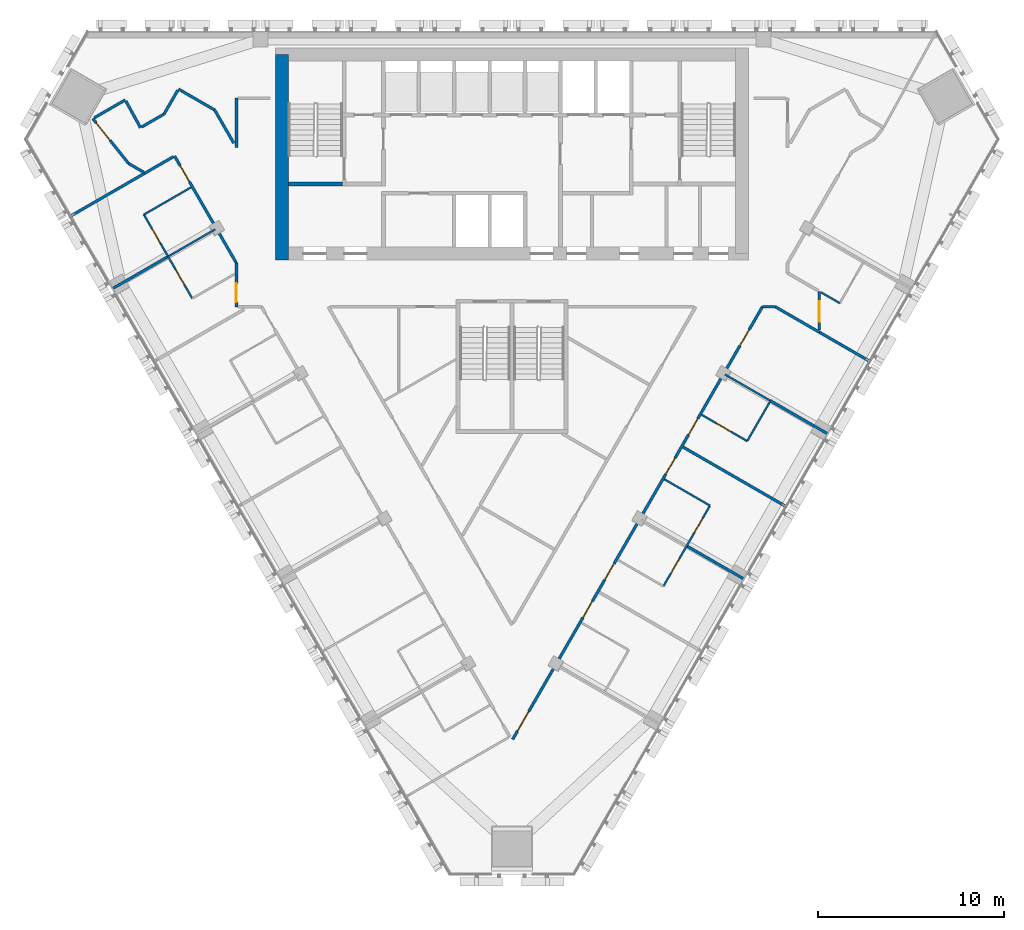
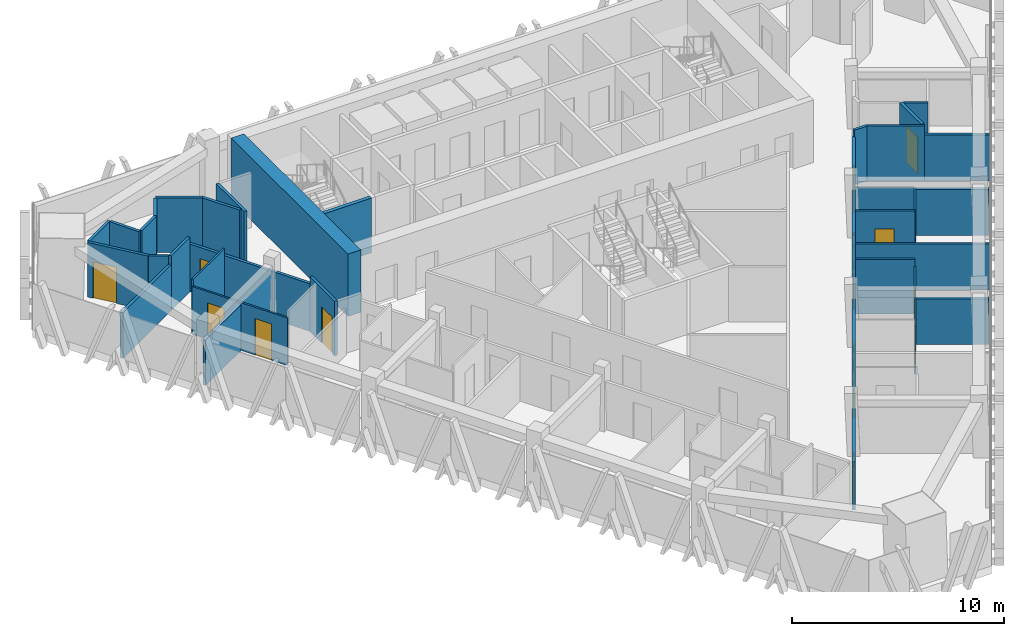
# One storey, part 10 of 16: 33 walls, 15 doors, 15 openings.
"""IFC4 building model written with IfcOpenShell, lengths in metres."""

import ifcopenshell
import ifcopenshell.guid

model = None  # the IFC model being written
_history = None  # IfcOwnerHistory: only IFC2X3 demands one
_inside = {}  # id of a spatial element -> (the spatial element, [elements in it])
_under = {}  # id of a project, library or spatial element -> (it, [spatial elements below it])
_declared = {}  # id of a project -> (the project, [libraries it declares])
_typed = {}  # id of a type object -> (the type object, [elements of that type])
_made_of = {}  # id of a material, layer set ... -> (it, [elements and type objects made of it])


def new_model(schema):
    """Start an empty IFC model of exactly this schema.

    Asked for "IFC4X3", IfcOpenShell would pick the latest addendum, in which some entities
    have other attributes; the version numbers below select the first issue.
    IFC2X3 requires an IfcOwnerHistory on every rooted entity: one is made here for all.
    """
    global model, _history
    if schema == "IFC4X3":
        model = ifcopenshell.file(schema_version=(4, 3, 0, 0))
    else:
        model = ifcopenshell.file(schema=schema)
    _inside.clear()
    _under.clear()
    _declared.clear()
    _typed.clear()
    _made_of.clear()
    _history = None
    if model.schema == "IFC2X3":
        org = make("IfcOrganization", Name="unknown")
        user = make(
            "IfcPersonAndOrganization",
            ThePerson=make("IfcPerson", FamilyName="unknown"),
            TheOrganization=org,
        )
        app = make(
            "IfcApplication",
            ApplicationDeveloper=org,
            Version="unknown",
            ApplicationFullName="unknown",
            ApplicationIdentifier="unknown",
        )
        _history = make(
            "IfcOwnerHistory",
            OwningUser=user,
            OwningApplication=app,
            ChangeAction="ADDED",
            CreationDate=0,
        )
    return model


def make(cls, **values):
    """One entity of the class cls with the attributes given. An attribute that is None is left unset."""
    return model.create_entity(
        cls, **{name: value for name, value in values.items() if value is not None}
    )


def rooted(cls, **values):
    """An entity with a GlobalId (a new one), such as an element, a storey or a relation."""
    return make(cls, GlobalId=ifcopenshell.guid.new(), OwnerHistory=_history, **values)


def si_unit(unit_type, name, prefix=None):
    """IfcSIUnit, for example si_unit("LENGTHUNIT", "METRE", prefix="MILLI")."""
    return make("IfcSIUnit", UnitType=unit_type, Prefix=prefix, Name=name)


def assignment(units):
    """IfcUnitAssignment: the units of a project."""
    return None if units is None else make("IfcUnitAssignment", Units=units)


def point(xyz):
    """IfcCartesianPoint."""
    return None if xyz is None else make("IfcCartesianPoint", Coordinates=xyz)


def direction(xyz):
    """IfcDirection."""
    return None if xyz is None else make("IfcDirection", DirectionRatios=xyz)


def frame(location, z_axis=None, x_axis=None):
    """IfcAxis2Placement3D, a coordinate frame: its origin and axes. An axis left out is left unset."""
    return make(
        "IfcAxis2Placement3D",
        Location=point(location),
        Axis=direction(z_axis),
        RefDirection=direction(x_axis),
    )


def frame_2d(location, x_axis=None):
    """IfcAxis2Placement2D, a coordinate frame in the plane: its origin and x axis."""
    return make(
        "IfcAxis2Placement2D", Location=point(location), RefDirection=direction(x_axis)
    )


def origin():
    """The frame at (0, 0, 0) with its axes left unset."""
    return frame((0.0, 0.0, 0.0))


def place(relative_to, where):
    """IfcLocalPlacement: puts the frame where relative to a parent placement (None: the world)."""
    return make(
        "IfcLocalPlacement", PlacementRelTo=relative_to, RelativePlacement=where
    )


def context(
    kind, dimensions, precision=None, world=None, true_north=None, identifier=None
):
    """IfcGeometricRepresentationContext, for example the 3D "Model" context."""
    return make(
        "IfcGeometricRepresentationContext",
        ContextIdentifier=identifier,
        ContextType=kind,
        CoordinateSpaceDimension=dimensions,
        Precision=precision,
        WorldCoordinateSystem=world,
        TrueNorth=true_north,
    )


def subcontext(parent, identifier, kind, view, scale=None):
    """IfcGeometricRepresentationSubContext, for example "Body" below "Model"."""
    return make(
        "IfcGeometricRepresentationSubContext",
        ContextIdentifier=identifier,
        ContextType=kind,
        ParentContext=parent,
        TargetScale=scale,
        TargetView=view,
    )


def project(units=None, contexts=None):
    """IfcProject with its units and contexts."""
    return rooted(
        "IfcProject",
        Name="project",
        RepresentationContexts=contexts,
        UnitsInContext=assignment(units),
    )


def spatial(cls, under=None, at=None, **own):
    """A site, building, storey or space (cls), placed at a placement, below another one or the project."""
    s = rooted(cls, ObjectPlacement=at, **own)
    if under is not None:
        _under.setdefault(under.id(), (under, []))[1].append(s)
    return s


def profile(cls, at=None, kind="AREA", **sizes):
    """A parametric profile (cls). Its sizes go by their IFC names, for example OverallWidth=200.0."""
    return make(cls, ProfileType=kind, Position=at, **sizes)


def rectangle(**sizes):
    """IfcRectangleProfileDef."""
    return profile("IfcRectangleProfileDef", **sizes)


def extrude(swept, where, along, depth):
    """IfcExtrudedAreaSolid: the profile swept, set in the frame where, extruded along a direction by depth."""
    return make(
        "IfcExtrudedAreaSolid",
        SweptArea=swept,
        Position=where,
        ExtrudedDirection=direction(along),
        Depth=depth,
    )


def shape(context_of_items, identifier, shape_type, items):
    """IfcShapeRepresentation: the items that make up one representation, for example the "Body"."""
    return make(
        "IfcShapeRepresentation",
        ContextOfItems=context_of_items,
        RepresentationIdentifier=identifier,
        RepresentationType=shape_type,
        Items=items,
    )


def material(Name=None, Category=None):
    """IfcMaterial."""
    return make("IfcMaterial", Name=Name, Category=Category)


def layer(
    of_material, thickness, ventilated=None, Name=None, Category=None, Priority=None
):
    """IfcMaterialLayer: one layer of a wall or slab, of a material (None: an air gap)."""
    return make(
        "IfcMaterialLayer",
        Material=of_material,
        LayerThickness=thickness,
        IsVentilated=ventilated,
        Name=Name,
        Category=Category,
        Priority=Priority,
    )


def layer_set(layers, Name=None):
    """IfcMaterialLayerSet."""
    return make("IfcMaterialLayerSet", MaterialLayers=layers, LayerSetName=Name)


def made_of(thing, what):
    """Note that an element or type object is made of a material, layer set ...; save() writes the relation."""
    if what is not None:
        _made_of.setdefault(what.id(), (what, []))[1].append(thing)
    return thing


def type_object(cls, material=None, **own):
    """A type object (cls), such as IfcWallType, which elements share."""
    return made_of(rooted(cls, **own), material)


def element(
    cls,
    number,
    at=None,
    inside=None,
    cuts=None,
    type_object=None,
    material=None,
    context=None,
    identifier="Body",
    shape_type=None,
    held_by="IfcProductDefinitionShape",
    body=None,
    shapes=None,
    **own,
):
    """One element of the class cls, such as IfcWall. Its Tag is "e" and its number.

    at: its placement. inside: the storey or other place that contains it. cuts: it is an
    opening in that element (IfcRelVoidsElement). A single representation is given by context,
    identifier, shape_type and body (its items); several are given by shapes. held_by: the class
    of the entity that holds the representations. save() writes the other relations.
    """
    e = rooted(cls, Tag="e%d" % number, ObjectPlacement=at, **own)
    if body is not None:
        shapes = [shape(context, identifier, shape_type, body)]
    if shapes is not None:
        e.Representation = make(held_by, Representations=shapes)
    if inside is not None:
        _inside.setdefault(inside.id(), (inside, []))[1].append(e)
    if cuts is not None:
        rooted(
            "IfcRelVoidsElement", RelatingBuildingElement=cuts, RelatedOpeningElement=e
        )
    if type_object is not None:
        _typed.setdefault(type_object.id(), (type_object, []))[1].append(e)
    return made_of(e, material)


def fill(opening, filler):
    """IfcRelFillsElement: the door or window that sits in an opening."""
    return rooted(
        "IfcRelFillsElement",
        RelatingOpeningElement=opening,
        RelatedBuildingElement=filler,
    )


def aggregate(whole, parts):
    """IfcRelAggregates: a whole, such as a stair, and the parts it consists of."""
    return rooted("IfcRelAggregates", RelatingObject=whole, RelatedObjects=parts)


def save(model, path):
    """Write the relations noted so far, then the file.

    IfcRelAggregates (storeys below a building ...), IfcRelContainedInSpatialStructure (elements
    in a storey), IfcRelDefinesByType, IfcRelAssociatesMaterial and IfcRelDeclares: one each for
    every whole, place, type object, material and project.
    """
    for whole, parts in _under.values():
        aggregate(whole, parts)
    for where, things in _inside.values():
        rooted(
            "IfcRelContainedInSpatialStructure",
            RelatedElements=things,
            RelatingStructure=where,
        )
    for kind, things in _typed.values():
        rooted("IfcRelDefinesByType", RelatedObjects=things, RelatingType=kind)
    for what, things in _made_of.values():
        rooted("IfcRelAssociatesMaterial", RelatedObjects=things, RelatingMaterial=what)
    for by, libraries in _declared.values():
        rooted("IfcRelDeclares", RelatingContext=by, RelatedDefinitions=libraries)
    model.write(path)


model = new_model("IFC4")

# Units and contexts
model_context = context("Model", 3, precision=1e-05, world=origin(), true_north=direction((0.0, 1.0)))
body_context = subcontext(model_context, "Body", "Model", "MODEL_VIEW")
ifc_project = project(units=[si_unit("LENGTHUNIT", "METRE"), si_unit("AREAUNIT", "SQUARE_METRE"), si_unit("VOLUMEUNIT", "CUBIC_METRE"), si_unit("PLANEANGLEUNIT", "RADIAN"), si_unit("MASSUNIT", "GRAM", prefix="KILO")], contexts=[model_context])

# Site, building, storey
site_placement = place(None, origin())
site = spatial("IfcSite", under=ifc_project, at=site_placement, CompositionType="ELEMENT")
building_placement = place(site_placement, origin())
building = spatial("IfcBuilding", under=site, at=building_placement, Name="Altiplano Prism Tower", CompositionType="ELEMENT")
storey_placement = place(building_placement, frame((0.0, 0.0, 181.800048828125)))
storey = spatial("IfcBuildingStorey", under=building, at=storey_placement, Name="L47", CompositionType="ELEMENT", Elevation=181.800048828125)

# Wall
ifc_material_1 = material(Name="Concrete C60/75", Category="concrete")
ifc_layer_1 = layer(ifc_material_1, 0.699951171875)
ifc_layer_set_1 = layer_set([ifc_layer_1], Name="Concrete C60/75")
wall_type_1 = type_object("IfcWallType", Name="Core wall 700", PredefinedType="SHEAR", material=ifc_layer_set_1)
wall_1_placement = place(storey_placement, frame((72.64990234375, 103.75, 0.0), z_axis=(0.0, 0.0, 1.0), x_axis=(0.0, -1.0, 0.0)))
element("IfcWall", 1, at=wall_1_placement, inside=storey, type_object=wall_type_1, Name="Core wall W L47", PredefinedType="SHEAR", context=body_context, shape_type="SweptSolid", body=[
    extrude(rectangle(XDim=11.050048828125, YDim=0.699951171875, at=frame_2d((5.52490234375, 0.0))), origin(), (0.0, 0.0, 1.0), 3.599853515625),
])

# Wall, openings, doors
ifc_material_2 = material(Name="Plasterboard on steel stud", Category="steel")
ifc_layer_2 = layer(ifc_material_2, 0.10009765625)
ifc_layer_set_2 = layer_set([ifc_layer_2], Name="Plasterboard on steel stud")
wall_type_2 = type_object("IfcWallType", Name="Partition 100 unit", PredefinedType="PARTITIONING", material=ifc_layer_set_2)
wall_2_placement = place(storey_placement, frame((67.834228515625, 90.647216796875, 0.0), z_axis=(0.0, 0.0, 1.0), x_axis=(-0.500027264788, 0.866009661879, 0.0)))
wall_2 = element("IfcWall", 2, at=wall_2_placement, inside=storey, type_object=wall_type_2, Name="Partition P02 L47 043", PredefinedType="PARTITIONING", context=body_context, shape_type="SweptSolid", body=[
    extrude(rectangle(XDim=5.199951171875, YDim=0.10009765625, at=frame_2d((2.60009765625, 0.0))), origin(), (0.0, 0.0, 1.0), 2.75),
])
opening_1_placement = place(wall_2_placement, frame((3.449951171875, 0.0, 0.0)))
opening_1 = element("IfcOpeningElement", 3, at=opening_1_placement, cuts=wall_2, Name="Opening D1657", PredefinedType="OPENING", context=body_context, shape_type="SweptSolid", body=[
    extrude(rectangle(XDim=0.89990234375, YDim=2.10009765625, at=frame_2d((0.449951171875, 1.050048828125))), frame((0.0, 0.060546875, 0.0), z_axis=(0.0, -1.0, 0.0), x_axis=(1.0, 0.0, 0.0)), (0.0, 0.0, 1.0), 0.12109375),
])
opening_2_placement = place(wall_2_placement, frame((0.85888671875, 0.0, 0.0)))
opening_2 = element("IfcOpeningElement", 4, at=opening_2_placement, cuts=wall_2, Name="Opening D1659", PredefinedType="OPENING", context=body_context, shape_type="SweptSolid", body=[
    extrude(rectangle(XDim=0.89990234375, YDim=2.10009765625, at=frame_2d((0.449951171875, 1.050048828125))), frame((0.0, 0.060546875, 0.0), z_axis=(0.0, -1.0, 0.0), x_axis=(1.0, 0.0, 0.0)), (0.0, 0.0, 1.0), 0.12109375),
])
ifc_material_3 = material(Name="Timber", Category="wood")
door_type_1 = type_object("IfcDoorType", Name="Ensuite door 900 x 2100", OperationType="NOTDEFINED", PredefinedType="NOTDEFINED", material=ifc_material_3)
door_1_placement = place(opening_1_placement, origin())
door_1 = element("IfcDoor", 5, at=door_1_placement, inside=storey, type_object=door_type_1, Name="Door D1657", OperationType="SINGLE_SWING_LEFT", OverallHeight=2.10009765625, OverallWidth=0.89990234375, PredefinedType="NOTDEFINED", context=body_context, shape_type="SweptSolid", body=[
    extrude(rectangle(XDim=0.89990234375, YDim=2.10009765625, at=frame_2d((0.449951171875, 1.050048828125))), frame((0.0, 0.02490234375, 0.0), z_axis=(0.0, -1.0, 0.0), x_axis=(1.0, 0.0, 0.0)), (0.0, 0.0, 1.0), 0.050048828125),
])
fill(opening_1, door_1)
door_2_placement = place(opening_2_placement, origin())
door_2 = element("IfcDoor", 6, at=door_2_placement, inside=storey, type_object=door_type_1, Name="Door D1659", OperationType="SINGLE_SWING_LEFT", OverallHeight=2.10009765625, OverallWidth=0.89990234375, PredefinedType="NOTDEFINED", context=body_context, shape_type="SweptSolid", body=[
    extrude(rectangle(XDim=0.89990234375, YDim=2.10009765625, at=frame_2d((0.449951171875, 1.050048828125))), frame((0.0, 0.02490234375, 0.0), z_axis=(0.0, -1.0, 0.0), x_axis=(1.0, 0.0, 0.0)), (0.0, 0.0, 1.0), 0.050048828125),
])
fill(opening_2, door_2)

# Walls
wall_3_placement = place(storey_placement, frame((65.234130859375, 95.150390625, 0.0), z_axis=(0.0, 0.0, 1.0), x_axis=(0.86601045545, 0.500025890382, 0.0)))
element("IfcWall", 7, at=wall_3_placement, inside=storey, type_object=wall_type_2, Name="Partition P02 L47 044", PredefinedType="PARTITIONING", context=body_context, shape_type="SweptSolid", body=[
    extrude(rectangle(XDim=2.925048828125, YDim=0.10009765625, at=frame_2d((1.46240234375, 0.0))), origin(), (0.0, 0.0, 1.0), 3.14990234375),
])
wall_4_placement = place(storey_placement, frame((93.182861328125, 80.93798828125, 0.0), z_axis=(0.0, 0.0, 1.0), x_axis=(0.866011447264, -0.500024172624, 0.0)))
element("IfcWall", 8, at=wall_4_placement, inside=storey, type_object=wall_type_2, Name="Partition P02 L47 072", PredefinedType="PARTITIONING", context=body_context, shape_type="SweptSolid", body=[
    extrude(rectangle(XDim=2.824951171875, YDim=0.10009765625, at=frame_2d((1.41259765625, 0.0))), origin(), (0.0, 0.0, 1.0), 3.14990234375),
])

# Wall, openings, doors
wall_5_placement = place(storey_placement, frame((95.62939453125, 79.525390625, 0.0), z_axis=(0.0, 0.0, 1.0), x_axis=(-0.500004234368, -0.866022959057, 0.0)))
wall_5 = element("IfcWall", 9, at=wall_5_placement, inside=storey, type_object=wall_type_2, Name="Partition P02 L47 073", PredefinedType="PARTITIONING", context=body_context, shape_type="SweptSolid", body=[
    extrude(rectangle(XDim=5.0, YDim=0.10009765625, at=frame_2d((2.5, 0.0))), origin(), (0.0, 0.0, 1.0), 2.75),
])
opening_3_placement = place(wall_5_placement, frame((3.300048828125, 0.0, 0.0)))
opening_3 = element("IfcOpeningElement", 10, at=opening_3_placement, cuts=wall_5, Name="Opening D1674", PredefinedType="OPENING", context=body_context, shape_type="SweptSolid", body=[
    extrude(rectangle(XDim=0.89990234375, YDim=2.10009765625, at=frame_2d((0.449951171875, 1.050048828125))), frame((0.0, 0.060546875, 0.0), z_axis=(0.0, -1.0, 0.0), x_axis=(1.0, 0.0, 0.0)), (0.0, 0.0, 1.0), 0.12109375),
])
opening_4_placement = place(wall_5_placement, frame((0.800048828125, 0.0, 0.0)))
opening_4 = element("IfcOpeningElement", 11, at=opening_4_placement, cuts=wall_5, Name="Opening D1676", PredefinedType="OPENING", context=body_context, shape_type="SweptSolid", body=[
    extrude(rectangle(XDim=0.89990234375, YDim=2.10009765625, at=frame_2d((0.449951171875, 1.050048828125))), frame((0.0, 0.060546875, 0.0), z_axis=(0.0, -1.0, 0.0), x_axis=(1.0, 0.0, 0.0)), (0.0, 0.0, 1.0), 0.12109375),
])
door_3_placement = place(opening_3_placement, origin())
door_3 = element("IfcDoor", 12, at=door_3_placement, inside=storey, type_object=door_type_1, Name="Door D1674", OperationType="SINGLE_SWING_RIGHT", OverallHeight=2.10009765625, OverallWidth=0.89990234375, PredefinedType="NOTDEFINED", context=body_context, shape_type="SweptSolid", body=[
    extrude(rectangle(XDim=0.89990234375, YDim=2.10009765625, at=frame_2d((0.449951171875, 1.050048828125))), frame((0.0, 0.02490234375, 0.0), z_axis=(0.0, -1.0, 0.0), x_axis=(1.0, 0.0, 0.0)), (0.0, 0.0, 1.0), 0.050048828125),
])
fill(opening_3, door_3)
door_4_placement = place(opening_4_placement, origin())
door_4 = element("IfcDoor", 13, at=door_4_placement, inside=storey, type_object=door_type_1, Name="Door D1676", OperationType="SINGLE_SWING_LEFT", OverallHeight=2.10009765625, OverallWidth=0.89990234375, PredefinedType="NOTDEFINED", context=body_context, shape_type="SweptSolid", body=[
    extrude(rectangle(XDim=0.89990234375, YDim=2.10009765625, at=frame_2d((0.449951171875, 1.050048828125))), frame((0.0, 0.02490234375, 0.0), z_axis=(0.0, -1.0, 0.0), x_axis=(1.0, 0.0, 0.0)), (0.0, 0.0, 1.0), 0.050048828125),
])
fill(opening_4, door_4)

# Wall
wall_6_placement = place(storey_placement, frame((98.841796875, 85.089599609375, 0.0), z_axis=(0.0, 0.0, 1.0), x_axis=(-0.499972286653, -0.866041403502, 0.0)))
element("IfcWall", 14, at=wall_6_placement, inside=storey, type_object=wall_type_2, Name="Partition P02 L47 075", PredefinedType="PARTITIONING", context=body_context, shape_type="SweptSolid", body=[
    extrude(rectangle(XDim=2.425048828125, YDim=0.10009765625, at=frame_2d((1.21240234375, 0.0))), origin(), (0.0, 0.0, 1.0), 2.75),
])

# Wall, opening, door
wall_7_placement = place(storey_placement, frame((97.62939453125, 82.989501953125, 0.0), z_axis=(0.0, 0.0, 1.0), x_axis=(-0.866011447264, 0.500024172624, 0.0)))
wall_7 = element("IfcWall", 15, at=wall_7_placement, inside=storey, type_object=wall_type_2, Name="Partition P02 L47 076", PredefinedType="PARTITIONING", context=body_context, shape_type="SweptSolid", body=[
    extrude(rectangle(XDim=2.824951171875, YDim=0.10009765625, at=frame_2d((1.41259765625, 0.0))), origin(), (0.0, 0.0, 1.0), 3.14990234375),
])
opening_5_placement = place(wall_7_placement, frame((1.0, 0.0, 0.0)))
opening_5 = element("IfcOpeningElement", 16, at=opening_5_placement, cuts=wall_7, Name="Opening D1678", PredefinedType="OPENING", context=body_context, shape_type="SweptSolid", body=[
    extrude(rectangle(XDim=0.89990234375, YDim=2.10009765625, at=frame_2d((0.449951171875, 1.050048828125))), frame((0.0, 0.060546875, 0.0), z_axis=(0.0, -1.0, 0.0), x_axis=(1.0, 0.0, 0.0)), (0.0, 0.0, 1.0), 0.12109375),
])
door_5_placement = place(opening_5_placement, origin())
door_5 = element("IfcDoor", 17, at=door_5_placement, inside=storey, type_object=door_type_1, Name="Door D1678", OperationType="SINGLE_SWING_LEFT", OverallHeight=2.10009765625, OverallWidth=0.89990234375, PredefinedType="NOTDEFINED", context=body_context, shape_type="SweptSolid", body=[
    extrude(rectangle(XDim=0.89990234375, YDim=2.10009765625, at=frame_2d((0.449951171875, 1.050048828125))), frame((0.0, 0.02490234375, 0.0), z_axis=(0.0, -1.0, 0.0), x_axis=(1.0, 0.0, 0.0)), (0.0, 0.0, 1.0), 0.050048828125),
])
fill(opening_5, door_5)

# Walls
wall_8_placement = place(storey_placement, frame((102.598876953125, 90.397216796875, 0.0), z_axis=(0.0, 0.0, 1.0), x_axis=(-0.866019899421, 0.500009533716, 0.0)))
element("IfcWall", 18, at=wall_8_placement, inside=storey, type_object=wall_type_2, Name="Partition P02 L47 081", PredefinedType="PARTITIONING", context=body_context, shape_type="SweptSolid", body=[
    extrude(rectangle(XDim=1.1533203125, YDim=0.10009765625, at=frame_2d((0.57666015625, 0.0))), origin(), (0.0, 0.0, 1.0), 3.14990234375),
])
ifc_layer_3 = layer(ifc_material_2, 0.10009765625)
ifc_layer_set_3 = layer_set([ifc_layer_3], Name="Plasterboard on steel stud")
wall_type_3 = type_object("IfcWallType", Name="Partition 100 wet", PredefinedType="PARTITIONING", material=ifc_layer_set_3)
wall_9_placement = place(storey_placement, frame((66.577392578125, 92.923828125, 0.0), z_axis=(0.0, 0.0, 1.0), x_axis=(0.866018712932, 0.500011588718, 0.0)))
element("IfcWall", 19, at=wall_9_placement, inside=storey, type_object=wall_type_3, Name="Partition P03 L47 047", PredefinedType="PARTITIONING", context=body_context, shape_type="SweptSolid", body=[
    extrude(rectangle(XDim=2.875, YDim=0.10009765625, at=frame_2d((1.4375, 0.0))), origin(), (0.0, 0.0, 1.0), 2.75),
])
wall_10_placement = place(storey_placement, frame((98.862060546875, 85.16455078125, 0.0), z_axis=(0.0, 0.0, 1.0), x_axis=(-0.866011654119, 0.500023814363, 0.0)))
element("IfcWall", 20, at=wall_10_placement, inside=storey, type_object=wall_type_3, Name="Partition P03 L47 078", PredefinedType="PARTITIONING", context=body_context, shape_type="SweptSolid", body=[
    extrude(rectangle(XDim=2.804931640625, YDim=0.10009765625, at=frame_2d((1.40234375, 0.0))), origin(), (0.0, 0.0, 1.0), 2.75),
])
ifc_layer_4 = layer(ifc_material_2, 0.14990234375)
ifc_layer_set_4 = layer_set([ifc_layer_4], Name="Plasterboard on steel stud")
wall_type_4 = type_object("IfcWallType", Name="Partition 150 corridor", PredefinedType="PARTITIONING", material=ifc_layer_set_4)
wall_11_placement = place(storey_placement, frame((65.280029296875, 97.370849609375, 0.0), z_axis=(0.0, 0.0, 1.0), x_axis=(0.865965678975, 0.50010343214, 0.0)))
element("IfcWall", 21, at=wall_11_placement, inside=storey, type_object=wall_type_4, Name="Partition P06 L47 003", PredefinedType="PARTITIONING", context=body_context, shape_type="SweptSolid", body=[
    extrude(rectangle(XDim=1.77490234375, YDim=0.14990234375, at=frame_2d((0.887451171875, 0.0))), origin(), (0.0, 0.0, 1.0), 3.14990234375),
])

# Wall, opening, door
wall_12_placement = place(storey_placement, frame((66.882080078125, 98.2958984375, 0.0), z_axis=(0.0, 0.0, 1.0), x_axis=(0.500009088543, -0.866020156448, 0.0)))
wall_12 = element("IfcWall", 22, at=wall_12_placement, inside=storey, type_object=wall_type_4, Name="Partition P06 L47 004", PredefinedType="PARTITIONING", context=body_context, shape_type="SweptSolid", body=[
    extrude(rectangle(XDim=6.6357421875, YDim=0.14990234375, at=frame_2d((3.31787109375, 0.0))), origin(), (0.0, 0.0, 1.0), 2.75),
])
opening_6_placement = place(wall_12_placement, frame((0.60498046875, 0.0, 0.0)))
opening_6 = element("IfcOpeningElement", 23, at=opening_6_placement, cuts=wall_12, Name="Opening D1656", PredefinedType="OPENING", context=body_context, shape_type="SweptSolid", body=[
    extrude(rectangle(XDim=1.0, YDim=2.10009765625, at=frame_2d((0.5, 1.050048828125))), frame((0.0, 0.08544921875, 0.0), z_axis=(0.0, -1.0, 0.0), x_axis=(1.0, 0.0, 0.0)), (0.0, 0.0, 1.0), 0.1708984375),
])
door_type_2 = type_object("IfcDoorType", Name="Bedroom entrance door 1000 x 2100", OperationType="NOTDEFINED", PredefinedType="NOTDEFINED", material=ifc_material_3)
door_6_placement = place(opening_6_placement, origin())
door_6 = element("IfcDoor", 24, at=door_6_placement, inside=storey, type_object=door_type_2, Name="Door D1656", OperationType="SINGLE_SWING_RIGHT", OverallHeight=2.10009765625, OverallWidth=1.0, PredefinedType="NOTDEFINED", context=body_context, shape_type="SweptSolid", body=[
    extrude(rectangle(XDim=1.0, YDim=2.10009765625, at=frame_2d((0.5, 1.050048828125))), frame((0.0, 0.02490234375, 0.0), z_axis=(0.0, -1.0, 0.0), x_axis=(1.0, 0.0, 0.0)), (0.0, 0.0, 1.0), 0.050048828125),
])
fill(opening_6, door_6)

wall_13_placement = place(storey_placement, frame((70.199951171875, 92.54931640625, 0.0), z_axis=(0.0, 0.0, 1.0), x_axis=(0.0, -1.0, 0.0)))
wall_13 = element("IfcWall", 25, at=wall_13_placement, inside=storey, type_object=wall_type_4, Name="Partition P06 L47 005", PredefinedType="PARTITIONING", context=body_context, shape_type="SweptSolid", body=[
    extrude(rectangle(XDim=2.349365234375, YDim=0.14990234375, at=frame_2d((1.1748046875, 0.0))), origin(), (0.0, 0.0, 1.0), 3.14990234375),
])
opening_7_placement = place(wall_13_placement, frame((1.095947265625, 0.0, 0.0)))
opening_7 = element("IfcOpeningElement", 26, at=opening_7_placement, cuts=wall_13, Name="Opening D1658", PredefinedType="OPENING", context=body_context, shape_type="SweptSolid", body=[
    extrude(rectangle(XDim=1.0, YDim=2.10009765625, at=frame_2d((0.5, 1.050048828125))), frame((0.0, 0.08544921875, 0.0), z_axis=(0.0, -1.0, 0.0), x_axis=(1.0, 0.0, 0.0)), (0.0, 0.0, 1.0), 0.1708984375),
])
door_7_placement = place(opening_7_placement, origin())
door_7 = element("IfcDoor", 27, at=door_7_placement, inside=storey, type_object=door_type_2, Name="Door D1658", OperationType="SINGLE_SWING_RIGHT", OverallHeight=2.10009765625, OverallWidth=1.0, PredefinedType="NOTDEFINED", context=body_context, shape_type="SweptSolid", body=[
    extrude(rectangle(XDim=1.0, YDim=2.10009765625, at=frame_2d((0.5, 1.050048828125))), frame((0.0, 0.02490234375, 0.0), z_axis=(0.0, -1.0, 0.0), x_axis=(1.0, 0.0, 0.0)), (0.0, 0.0, 1.0), 0.050048828125),
])
fill(opening_7, door_7)

# Wall, openings, doors
wall_14_placement = place(storey_placement, frame((85.03271484375, 66.9716796875, 0.0), z_axis=(0.0, 0.0, 1.0), x_axis=(0.500001115073, 0.866024759996, 0.0)))
wall_14 = element("IfcWall", 28, at=wall_14_placement, inside=storey, type_object=wall_type_4, Name="Partition P06 L47 008", PredefinedType="PARTITIONING", context=body_context, shape_type="SweptSolid", body=[
    extrude(rectangle(XDim=26.82177734375, YDim=0.14990234375, at=frame_2d((13.410888671875, 0.0))), origin(), (0.0, 0.0, 1.0), 2.75),
])
opening_8_placement = place(wall_14_placement, frame((0.527099609375, 0.0, 0.0)))
opening_8 = element("IfcOpeningElement", 29, at=opening_8_placement, cuts=wall_14, Name="Opening D1670", PredefinedType="OPENING", context=body_context, shape_type="SweptSolid", body=[
    extrude(rectangle(XDim=1.199951171875, YDim=2.10009765625, at=frame_2d((0.60009765625, 1.050048828125))), frame((0.0, 0.08544921875, 0.0), z_axis=(0.0, -1.0, 0.0), x_axis=(1.0, 0.0, 0.0)), (0.0, 0.0, 1.0), 0.1708984375),
])
opening_9_placement = place(wall_14_placement, frame((7.56591796875, 0.0, 0.0)))
opening_9 = element("IfcOpeningElement", 30, at=opening_9_placement, cuts=wall_14, Name="Opening D1671", PredefinedType="OPENING", context=body_context, shape_type="SweptSolid", body=[
    extrude(rectangle(XDim=1.0, YDim=2.10009765625, at=frame_2d((0.5, 1.050048828125))), frame((0.0, 0.08544921875, 0.0), z_axis=(0.0, -1.0, 0.0), x_axis=(1.0, 0.0, 0.0)), (0.0, 0.0, 1.0), 0.1708984375),
])
opening_10_placement = place(wall_14_placement, frame((9.89111328125, 0.0, 0.0)))
opening_10 = element("IfcOpeningElement", 31, at=opening_10_placement, cuts=wall_14, Name="Opening D1673", PredefinedType="OPENING", context=body_context, shape_type="SweptSolid", body=[
    extrude(rectangle(XDim=1.0, YDim=2.10009765625, at=frame_2d((0.5, 1.050048828125))), frame((0.0, 0.08544921875, 0.0), z_axis=(0.0, -1.0, 0.0), x_axis=(1.0, 0.0, 0.0)), (0.0, 0.0, 1.0), 0.1708984375),
])
opening_11_placement = place(wall_14_placement, frame((16.449951171875, 0.0, 0.0)))
opening_11 = element("IfcOpeningElement", 32, at=opening_11_placement, cuts=wall_14, Name="Opening D1675", PredefinedType="OPENING", context=body_context, shape_type="SweptSolid", body=[
    extrude(rectangle(XDim=1.0, YDim=2.10009765625, at=frame_2d((0.5, 1.050048828125))), frame((0.0, 0.08544921875, 0.0), z_axis=(0.0, -1.0, 0.0), x_axis=(1.0, 0.0, 0.0)), (0.0, 0.0, 1.0), 0.1708984375),
])
opening_12_placement = place(wall_14_placement, frame((18.89111328125, 0.0, 0.0)))
opening_12 = element("IfcOpeningElement", 33, at=opening_12_placement, cuts=wall_14, Name="Opening D1677", PredefinedType="OPENING", context=body_context, shape_type="SweptSolid", body=[
    extrude(rectangle(XDim=1.0, YDim=2.10009765625, at=frame_2d((0.5, 1.050048828125))), frame((0.0, 0.08544921875, 0.0), z_axis=(0.0, -1.0, 0.0), x_axis=(1.0, 0.0, 0.0)), (0.0, 0.0, 1.0), 0.1708984375),
])
opening_13_placement = place(wall_14_placement, frame((24.4130859375, 0.0, 0.0)))
opening_13 = element("IfcOpeningElement", 34, at=opening_13_placement, cuts=wall_14, Name="Opening D1679", PredefinedType="OPENING", context=body_context, shape_type="SweptSolid", body=[
    extrude(rectangle(XDim=1.0, YDim=2.10009765625, at=frame_2d((0.5, 1.050048828125))), frame((0.0, 0.08544921875, 0.0), z_axis=(0.0, -1.0, 0.0), x_axis=(1.0, 0.0, 0.0)), (0.0, 0.0, 1.0), 0.1708984375),
])
door_8_placement = place(opening_9_placement, origin())
door_8 = element("IfcDoor", 35, at=door_8_placement, inside=storey, type_object=door_type_2, Name="Door D1671", OperationType="SINGLE_SWING_LEFT", OverallHeight=2.10009765625, OverallWidth=1.0, PredefinedType="NOTDEFINED", context=body_context, shape_type="SweptSolid", body=[
    extrude(rectangle(XDim=1.0, YDim=2.10009765625, at=frame_2d((0.5, 1.050048828125))), frame((0.0, 0.02490234375, 0.0), z_axis=(0.0, -1.0, 0.0), x_axis=(1.0, 0.0, 0.0)), (0.0, 0.0, 1.0), 0.050048828125),
])
fill(opening_9, door_8)
door_9_placement = place(opening_10_placement, origin())
door_9 = element("IfcDoor", 36, at=door_9_placement, inside=storey, type_object=door_type_2, Name="Door D1673", OperationType="SINGLE_SWING_LEFT", OverallHeight=2.10009765625, OverallWidth=1.0, PredefinedType="NOTDEFINED", context=body_context, shape_type="SweptSolid", body=[
    extrude(rectangle(XDim=1.0, YDim=2.10009765625, at=frame_2d((0.5, 1.050048828125))), frame((0.0, 0.02490234375, 0.0), z_axis=(0.0, -1.0, 0.0), x_axis=(1.0, 0.0, 0.0)), (0.0, 0.0, 1.0), 0.050048828125),
])
fill(opening_10, door_9)
door_10_placement = place(opening_11_placement, origin())
door_10 = element("IfcDoor", 37, at=door_10_placement, inside=storey, type_object=door_type_2, Name="Door D1675", OperationType="SINGLE_SWING_RIGHT", OverallHeight=2.10009765625, OverallWidth=1.0, PredefinedType="NOTDEFINED", context=body_context, shape_type="SweptSolid", body=[
    extrude(rectangle(XDim=1.0, YDim=2.10009765625, at=frame_2d((0.5, 1.050048828125))), frame((0.0, 0.02490234375, 0.0), z_axis=(0.0, -1.0, 0.0), x_axis=(1.0, 0.0, 0.0)), (0.0, 0.0, 1.0), 0.050048828125),
])
fill(opening_11, door_10)
door_11_placement = place(opening_12_placement, origin())
door_11 = element("IfcDoor", 38, at=door_11_placement, inside=storey, type_object=door_type_2, Name="Door D1677", OperationType="SINGLE_SWING_RIGHT", OverallHeight=2.10009765625, OverallWidth=1.0, PredefinedType="NOTDEFINED", context=body_context, shape_type="SweptSolid", body=[
    extrude(rectangle(XDim=1.0, YDim=2.10009765625, at=frame_2d((0.5, 1.050048828125))), frame((0.0, 0.02490234375, 0.0), z_axis=(0.0, -1.0, 0.0), x_axis=(1.0, 0.0, 0.0)), (0.0, 0.0, 1.0), 0.050048828125),
])
fill(opening_12, door_11)
door_type_3 = type_object("IfcDoorType", Name="Room door 1000 x 2100", OperationType="NOTDEFINED", PredefinedType="NOTDEFINED", material=ifc_material_3)
door_12_placement = place(opening_13_placement, origin())
door_12 = element("IfcDoor", 39, at=door_12_placement, inside=storey, type_object=door_type_3, Name="Door D1679", OperationType="SINGLE_SWING_LEFT", OverallHeight=2.10009765625, OverallWidth=1.0, PredefinedType="NOTDEFINED", context=body_context, shape_type="SweptSolid", body=[
    extrude(rectangle(XDim=1.0, YDim=2.10009765625, at=frame_2d((0.5, 1.050048828125))), frame((0.0, 0.02490234375, 0.0), z_axis=(0.0, -1.0, 0.0), x_axis=(1.0, 0.0, 0.0)), (0.0, 0.0, 1.0), 0.050048828125),
])
fill(opening_13, door_12)
door_type_4 = type_object("IfcDoorType", Name="Shared room door 1200 x 2100", OperationType="NOTDEFINED", PredefinedType="NOTDEFINED", material=ifc_material_3)
door_13_placement = place(opening_8_placement, origin())
door_13 = element("IfcDoor", 40, at=door_13_placement, inside=storey, type_object=door_type_4, Name="Door D1670", OperationType="SINGLE_SWING_LEFT", OverallHeight=2.10009765625, OverallWidth=1.199951171875, PredefinedType="NOTDEFINED", context=body_context, shape_type="SweptSolid", body=[
    extrude(rectangle(XDim=1.199951171875, YDim=2.10009765625, at=frame_2d((0.60009765625, 1.050048828125))), frame((0.0, 0.02490234375, 0.0), z_axis=(0.0, -1.0, 0.0), x_axis=(1.0, 0.0, 0.0)), (0.0, 0.0, 1.0), 0.050048828125),
])
fill(opening_8, door_13)

# Walls
wall_15_placement = place(storey_placement, frame((98.443603515625, 90.199951171875, 0.0), z_axis=(0.0, 0.0, 1.0), x_axis=(1.0, 0.0, 0.0)))
element("IfcWall", 41, at=wall_15_placement, inside=storey, type_object=wall_type_4, Name="Partition P06 L47 009", PredefinedType="PARTITIONING", context=body_context, shape_type="SweptSolid", body=[
    extrude(rectangle(XDim=0.69677734375, YDim=0.14990234375, at=frame_2d((0.348388671875, 0.0))), origin(), (0.0, 0.0, 1.0), 3.14990234375),
])
wall_16_placement = place(storey_placement, frame((99.140380859375, 90.199951171875, 0.0), z_axis=(0.0, 0.0, 1.0), x_axis=(0.866028570666, -0.499994514761, 0.0)))
element("IfcWall", 42, at=wall_16_placement, inside=storey, type_object=wall_type_4, Name="Partition P06 L47 010", PredefinedType="PARTITIONING", context=body_context, shape_type="SweptSolid", body=[
    extrude(rectangle(XDim=2.74462890625, YDim=0.14990234375, at=frame_2d((1.372314453125, 0.0))), origin(), (0.0, 0.0, 1.0), 3.14990234375),
])

# Wall, opening, door
wall_17_placement = place(storey_placement, frame((101.5, 88.967529296875, 0.0), z_axis=(0.0, 0.0, 1.0), x_axis=(0.0, 1.0, 0.0)))
wall_17 = element("IfcWall", 43, at=wall_17_placement, inside=storey, type_object=wall_type_4, Name="Partition P06 L47 011", PredefinedType="PARTITIONING", context=body_context, shape_type="SweptSolid", body=[
    extrude(rectangle(XDim=2.06396484375, YDim=0.14990234375, at=frame_2d((1.031982421875, 0.0))), origin(), (0.0, 0.0, 1.0), 3.14990234375),
])
opening_14_placement = place(wall_17_placement, frame((0.43701171875, 0.0, 0.0)))
opening_14 = element("IfcOpeningElement", 44, at=opening_14_placement, cuts=wall_17, Name="Opening D1680", PredefinedType="OPENING", context=body_context, shape_type="SweptSolid", body=[
    extrude(rectangle(XDim=1.10009765625, YDim=2.10009765625, at=frame_2d((0.550048828125, 1.050048828125))), frame((0.0, 0.08544921875, 0.0), z_axis=(0.0, -1.0, 0.0), x_axis=(1.0, 0.0, 0.0)), (0.0, 0.0, 1.0), 0.1708984375),
])
door_type_5 = type_object("IfcDoorType", Name="Accessible bedroom door 1100 x 2100", OperationType="NOTDEFINED", PredefinedType="NOTDEFINED", material=ifc_material_3)
door_14_placement = place(opening_14_placement, origin())
door_14 = element("IfcDoor", 45, at=door_14_placement, inside=storey, type_object=door_type_5, Name="Door D1680", OperationType="SINGLE_SWING_RIGHT", OverallHeight=2.10009765625, OverallWidth=1.10009765625, PredefinedType="NOTDEFINED", context=body_context, shape_type="SweptSolid", body=[
    extrude(rectangle(XDim=1.10009765625, YDim=2.10009765625, at=frame_2d((0.550048828125, 1.050048828125))), frame((0.0, 0.02490234375, 0.0), z_axis=(0.0, -1.0, 0.0), x_axis=(1.0, 0.0, 0.0)), (0.0, 0.0, 1.0), 0.050048828125),
])
fill(opening_14, door_14)

# Walls
wall_18_placement = place(storey_placement, frame((70.199951171875, 101.39990234375, 0.0), z_axis=(0.0, 0.0, 1.0), x_axis=(0.0, -1.0, 0.0)))
element("IfcWall", 46, at=wall_18_placement, inside=storey, type_object=wall_type_4, Name="Partition P06 L47 024", PredefinedType="PARTITIONING", context=body_context, shape_type="SweptSolid", body=[
    extrude(rectangle(XDim=2.650634765625, YDim=0.14990234375, at=frame_2d((1.3251953125, 0.0))), origin(), (0.0, 0.0, 1.0), 3.14990234375),
])
wall_19_placement = place(storey_placement, frame((70.06005859375, 98.99169921875, 0.0), z_axis=(0.0, 0.0, 1.0), x_axis=(-0.500027893485, 0.866009298874, 0.0)))
element("IfcWall", 47, at=wall_19_placement, inside=storey, type_object=wall_type_4, Name="Partition P06 L47 025", PredefinedType="PARTITIONING", context=body_context, shape_type="SweptSolid", body=[
    extrude(rectangle(XDim=2.052734375, YDim=0.14990234375, at=frame_2d((1.0263671875, 0.0))), origin(), (0.0, 0.0, 1.0), 3.14990234375),
])
wall_20_placement = place(storey_placement, frame((69.03369140625, 100.769287109375, 0.0), z_axis=(0.0, 0.0, 1.0), x_axis=(-0.866016984105, 0.500014583029, 0.0)))
element("IfcWall", 48, at=wall_20_placement, inside=storey, type_object=wall_type_4, Name="Partition P06 L47 026", PredefinedType="PARTITIONING", context=body_context, shape_type="SweptSolid", body=[
    extrude(rectangle(XDim=2.24267578125, YDim=0.14990234375, at=frame_2d((1.121337890625, 0.0))), origin(), (0.0, 0.0, 1.0), 3.14990234375),
])
wall_21_placement = place(storey_placement, frame((67.053955078125, 101.82568359375, 0.0), z_axis=(0.0, 0.0, 1.0), x_axis=(-0.500037662692, -0.866003658127, 0.0)))
element("IfcWall", 49, at=wall_21_placement, inside=storey, type_object=wall_type_4, Name="Partition P06 L47 027", PredefinedType="PARTITIONING", context=body_context, shape_type="SweptSolid", body=[
    extrude(rectangle(XDim=1.47509765625, YDim=0.14990234375, at=frame_2d((0.737548828125, 0.0))), origin(), (0.0, 0.0, 1.0), 3.14990234375),
])
wall_22_placement = place(storey_placement, frame((66.31640625, 100.54833984375, 0.0), z_axis=(0.0, 0.0, 1.0), x_axis=(-0.866050310653, -0.499956857557, 0.0)))
element("IfcWall", 50, at=wall_22_placement, inside=storey, type_object=wall_type_4, Name="Partition P06 L47 028", PredefinedType="PARTITIONING", context=body_context, shape_type="SweptSolid", body=[
    extrude(rectangle(XDim=1.38232421875, YDim=0.14990234375, at=frame_2d((0.691162109375, 0.0))), origin(), (0.0, 0.0, 1.0), 3.14990234375),
])
wall_23_placement = place(storey_placement, frame((65.052978515625, 99.81884765625, 0.0), z_axis=(0.0, 0.0, 1.0), x_axis=(-0.48287067251, 0.875691677264, 0.0)))
element("IfcWall", 51, at=wall_23_placement, inside=storey, type_object=wall_type_4, Name="Partition P06 L47 029", PredefinedType="PARTITIONING", context=body_context, shape_type="SweptSolid", body=[
    extrude(rectangle(XDim=1.6240234375, YDim=0.14990234375, at=frame_2d((0.81201171875, 0.0))), origin(), (0.0, 0.0, 1.0), 3.14990234375),
])
wall_24_placement = place(storey_placement, frame((64.23193359375, 101.307861328125, 0.0), z_axis=(0.0, 0.0, 1.0), x_axis=(-0.866037476477, -0.499979088899, 0.0)))
element("IfcWall", 52, at=wall_24_placement, inside=storey, type_object=wall_type_4, Name="Partition P06 L47 030", PredefinedType="PARTITIONING", context=body_context, shape_type="SweptSolid", body=[
    extrude(rectangle(XDim=1.92138671875, YDim=0.14990234375, at=frame_2d((0.960693359375, 0.0))), origin(), (0.0, 0.0, 1.0), 3.14990234375),
])

# Wall, opening, door
wall_25_placement = place(storey_placement, frame((62.492431640625, 100.303466796875, 0.0), z_axis=(0.0, 0.0, 1.0), x_axis=(0.623399088772, -0.781903815132, 0.0)))
wall_25 = element("IfcWall", 53, at=wall_25_placement, inside=storey, type_object=wall_type_4, Name="Partition P06 L47 031", PredefinedType="PARTITIONING", context=body_context, shape_type="SweptSolid", body=[
    extrude(rectangle(XDim=3.08056640625, YDim=0.14990234375, at=frame_2d((1.540283203125, 0.0))), origin(), (0.0, 0.0, 1.0), 3.14990234375),
])
opening_15_placement = place(wall_25_placement, frame((0.291015625, 0.0, 0.0)))
opening_15 = element("IfcOpeningElement", 54, at=opening_15_placement, cuts=wall_25, Name="Opening D1684", PredefinedType="OPENING", context=body_context, shape_type="SweptSolid", body=[
    extrude(rectangle(XDim=1.199951171875, YDim=2.10009765625, at=frame_2d((0.60009765625, 1.050048828125))), frame((0.0, 0.08544921875, 0.0), z_axis=(0.0, -1.0, 0.0), x_axis=(1.0, 0.0, 0.0)), (0.0, 0.0, 1.0), 0.1708984375),
])
door_15_placement = place(opening_15_placement, origin())
door_15 = element("IfcDoor", 55, at=door_15_placement, inside=storey, type_object=door_type_4, Name="Door D1684", OperationType="SINGLE_SWING_LEFT", OverallHeight=2.10009765625, OverallWidth=1.199951171875, PredefinedType="NOTDEFINED", context=body_context, shape_type="SweptSolid", body=[
    extrude(rectangle(XDim=1.199951171875, YDim=2.10009765625, at=frame_2d((0.60009765625, 1.050048828125))), frame((0.0, 0.02490234375, 0.0), z_axis=(0.0, -1.0, 0.0), x_axis=(1.0, 0.0, 0.0)), (0.0, 0.0, 1.0), 0.050048828125),
])
fill(opening_15, door_15)

# Walls
wall_26_placement = place(storey_placement, frame((64.412841796875, 97.894775390625, 0.0), z_axis=(0.0, 0.0, 1.0), x_axis=(0.865919612642, -0.500183190883, 0.0)))
element("IfcWall", 56, at=wall_26_placement, inside=storey, type_object=wall_type_4, Name="Partition P06 L47 032", PredefinedType="PARTITIONING", context=body_context, shape_type="SweptSolid", body=[
    extrude(rectangle(XDim=0.947998046875, YDim=0.14990234375, at=frame_2d((0.47412109375, 0.0))), origin(), (0.0, 0.0, 1.0), 3.14990234375),
])
ifc_layer_5 = layer(ifc_material_2, 0.14990234375)
ifc_layer_set_5 = layer_set([ifc_layer_5], Name="Plasterboard on steel stud")
wall_type_5 = type_object("IfcWallType", Name="Partition 150 party", PredefinedType="PARTITIONING", material=ifc_layer_set_5)
wall_27_placement = place(storey_placement, frame((63.589599609375, 91.19873046875, 0.0), z_axis=(0.0, 0.0, 1.0), x_axis=(0.866014461049, 0.500018952895, 0.0)))
element("IfcWall", 57, at=wall_27_placement, inside=storey, type_object=wall_type_5, Name="Partition P01 L47 045", PredefinedType="PARTITIONING", context=body_context, shape_type="SweptSolid", body=[
    extrude(rectangle(XDim=3.349853515625, YDim=0.14990234375, at=frame_2d((1.6748046875, 0.0))), origin(), (0.0, 0.0, 1.0), 2.64990234375),
])
wall_28_placement = place(storey_placement, frame((65.300048828125, 97.382568359375, 0.0), z_axis=(0.0, 0.0, 1.0), x_axis=(-0.866033350373, -0.499986235851, 0.0)))
element("IfcWall", 58, at=wall_28_placement, inside=storey, type_object=wall_type_5, Name="Partition P01 L47 046", PredefinedType="PARTITIONING", context=body_context, shape_type="SweptSolid", body=[
    extrude(rectangle(XDim=4.593505859375, YDim=0.14990234375, at=frame_2d((2.296875, 0.0))), origin(), (0.0, 0.0, 1.0), 2.64990234375),
])
wall_29_placement = place(storey_placement, frame((97.410400390625, 75.6103515625, 0.0), z_axis=(0.0, 0.0, 1.0), x_axis=(-0.866013532718, 0.500020560727, 0.0)))
element("IfcWall", 59, at=wall_29_placement, inside=storey, type_object=wall_type_5, Name="Partition P01 L47 070", PredefinedType="PARTITIONING", context=body_context, shape_type="SweptSolid", body=[
    extrude(rectangle(XDim=3.449951171875, YDim=0.14990234375, at=frame_2d((1.72509765625, 0.0))), origin(), (0.0, 0.0, 1.0), 2.64990234375),
])
wall_30_placement = place(storey_placement, frame((99.677978515625, 79.497314453125, 0.0), z_axis=(0.0, 0.0, 1.0), x_axis=(-0.866025401434, 0.500000004071, 0.0)))
element("IfcWall", 60, at=wall_30_placement, inside=storey, type_object=wall_type_5, Name="Partition P01 L47 074", PredefinedType="PARTITIONING", context=body_context, shape_type="SweptSolid", body=[
    extrude(rectangle(XDim=6.34521484375, YDim=0.14990234375, at=frame_2d((3.172607421875, 0.0))), origin(), (0.0, 0.0, 1.0), 2.64990234375),
])
wall_31_placement = place(storey_placement, frame((101.910400390625, 83.404541015625, 0.0), z_axis=(0.0, 0.0, 1.0), x_axis=(-0.866019260715, 0.500010639957, 0.0)))
element("IfcWall", 61, at=wall_31_placement, inside=storey, type_object=wall_type_5, Name="Partition P01 L47 077", PredefinedType="PARTITIONING", context=body_context, shape_type="SweptSolid", body=[
    extrude(rectangle(XDim=3.52001953125, YDim=0.14990234375, at=frame_2d((1.760009765625, 0.0))), origin(), (0.0, 0.0, 1.0), 2.64990234375),
])
wall_32_placement = place(storey_placement, frame((104.177978515625, 87.29150390625, 0.0), z_axis=(0.0, 0.0, 1.0), x_axis=(-0.866023868869, 0.500002658542, 0.0)))
element("IfcWall", 62, at=wall_32_placement, inside=storey, type_object=wall_type_5, Name="Partition P01 L47 079", PredefinedType="PARTITIONING", context=body_context, shape_type="SweptSolid", body=[
    extrude(rectangle(XDim=3.09228515625, YDim=0.14990234375, at=frame_2d((1.546142578125, 0.0))), origin(), (0.0, 0.0, 1.0), 2.64990234375),
])
ifc_layer_6 = layer(ifc_material_1, 0.199951171875)
ifc_layer_set_6 = layer_set([ifc_layer_6], Name="Concrete C60/75")
wall_type_6 = type_object("IfcWallType", Name="Stair wall 200", PredefinedType="SOLIDWALL", material=ifc_layer_set_6)
wall_33_placement = place(storey_placement, frame((73.0, 96.800048828125, 0.0), z_axis=(0.0, 0.0, 1.0), x_axis=(1.0, 0.0, 0.0)))
element("IfcWall", 63, at=wall_33_placement, inside=storey, type_object=wall_type_6, Name="Stair wall L47", PredefinedType="SOLIDWALL", context=body_context, shape_type="SweptSolid", body=[
    extrude(rectangle(XDim=2.89990234375, YDim=0.199951171875, at=frame_2d((1.449951171875, 0.0))), origin(), (0.0, 0.0, 1.0), 3.14990234375),
])

save(model, "model.ifc")
